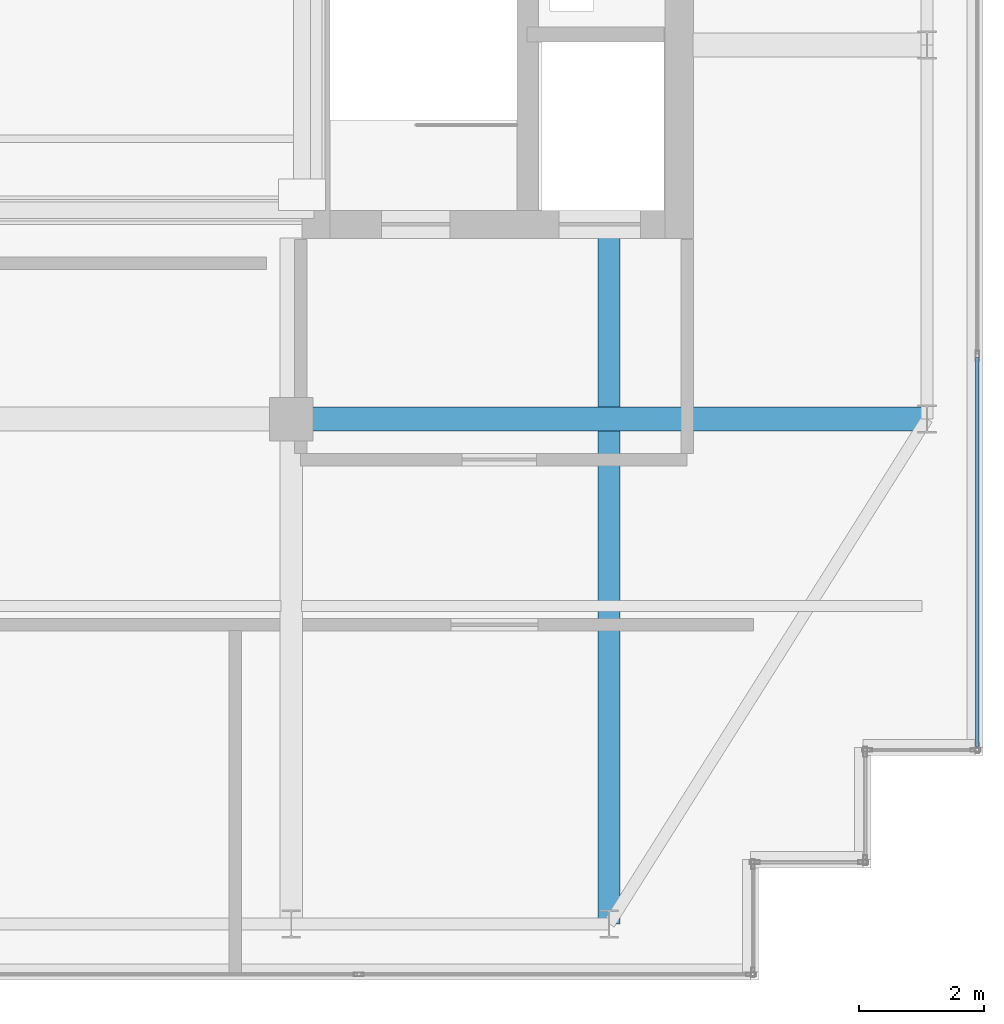
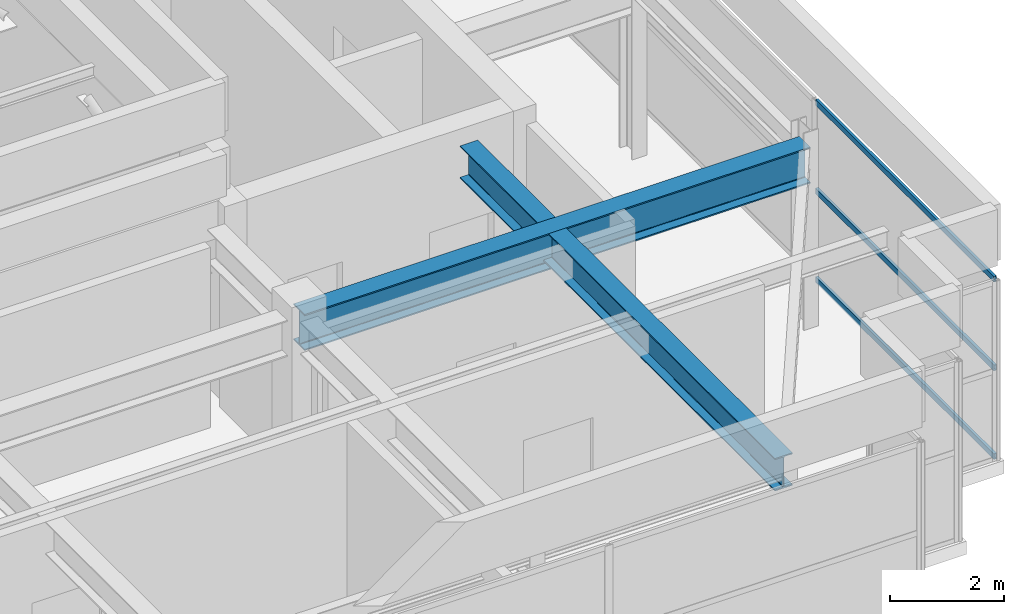
# One storey, part 16 of 33: 3 members, 2 beams, 1 element without a shape of its own.
"""IFC4 building model written with IfcOpenShell, lengths in metres."""

from ifc_helpers import new_model, si_unit, direction, frame, origin, origin_2d, place, context, subcontext, project, spatial, hollow_rectangle, i_section, extrude, source, transform, mapped, material, layer, layer_set, material_profile, profile_set, type_object, element, aggregate, save


model = new_model("IFC4")

# Units and contexts
model_context = context("Model", 3, precision=1e-05, world=origin(), true_north=direction((0.0, 1.0)))
body_context = subcontext(model_context, "Body", "Model", "MODEL_VIEW")
ifc_project = project(units=[si_unit("LENGTHUNIT", "METRE"), si_unit("AREAUNIT", "SQUARE_METRE"), si_unit("VOLUMEUNIT", "CUBIC_METRE"), si_unit("PLANEANGLEUNIT", "RADIAN"), si_unit("MASSUNIT", "GRAM", prefix="KILO")], contexts=[model_context])

# Site, building, storey
site_placement = place(None, origin())
site = spatial("IfcSite", under=ifc_project, at=site_placement, CompositionType="ELEMENT")
building_placement = place(site_placement, origin())
building = spatial("IfcBuilding", under=site, at=building_placement, Name="Khoralis Quay Care Tower", CompositionType="ELEMENT")
storey_placement = place(building_placement, frame((0.0, 0.0, 314.699951171875)))
storey = spatial("IfcBuildingStorey", under=building, at=storey_placement, Name="L82", CompositionType="ELEMENT", Elevation=314.699951171875)

# Beams
ifc_material_1 = material(Name="Steel S355", Category="steel")
ifc_material_profile_1 = material_profile(ifc_material_1, i_section(OverallWidth=0.381103515625, OverallDepth=0.77294921875, WebThickness=0.0166015625, FlangeThickness=0.027587890625, FilletRadius=0.02197265625, at=origin_2d()), Name="Steel S355")
ifc_profile_set_1 = profile_set([ifc_material_profile_1], Name="Steel S355")
beam_type_1 = type_object("IfcBeamType", Name="BM-W760X257", PredefinedType="BEAM", material=ifc_profile_set_1)
shared_shape_1 = source(origin(), body_context, "Body", "SweptSolid", [
    extrude(i_section(OverallWidth=0.381103515625, OverallDepth=0.77294921875, WebThickness=0.0166015625, FlangeThickness=0.027587890625, FilletRadius=0.02197265625, at=origin_2d()), origin(), (0.0, 0.0, 1.0), 10.2001953125),
])
beam_1_placement = place(storey_placement, frame((30.89990234375, 12.0, 3.45361328125), z_axis=(1.0, 0.0, 0.0), x_axis=(0.0, 1.0, 0.0)))
element("IfcBeam", 1, at=beam_1_placement, inside=storey, type_object=beam_type_1, Name="BM-TGXE-L82-120", PredefinedType="BEAM", context=body_context, shape_type="MappedRepresentation", body=[
    mapped(shared_shape_1, transform((0.0, 0.0, 0.0), scale=1.0)),
])
ifc_material_profile_2 = material_profile(ifc_material_1, i_section(OverallWidth=0.35498046875, OverallDepth=0.695068359375, WebThickness=0.015380859375, FlangeThickness=0.02490234375, FilletRadius=0.02001953125, at=origin_2d()), Name="Steel S355")
ifc_profile_set_2 = profile_set([ifc_material_profile_2], Name="Steel S355")
beam_type_2 = type_object("IfcBeamType", Name="BM-W690X217", PredefinedType="BEAM", material=ifc_profile_set_2)
shared_shape_2 = source(origin(), body_context, "Body", "SweptSolid", [
    extrude(i_section(OverallWidth=0.35498046875, OverallDepth=0.695068359375, WebThickness=0.015380859375, FlangeThickness=0.02490234375, FilletRadius=0.02001953125, at=origin_2d()), origin(), (0.0, 0.0, 1.0), 11.002197265625),
])
beam_2_placement = place(storey_placement, frame((36.0, 3.89990234375, 3.492431640625), z_axis=(0.0, 1.0, 0.0), x_axis=(-1.0, 0.0, 0.0)))
element("IfcBeam", 2, at=beam_2_placement, inside=storey, type_object=beam_type_2, Name="BM-TGYS-L82-360", PredefinedType="BEAM", context=body_context, shape_type="MappedRepresentation", body=[
    mapped(shared_shape_2, transform((0.0, 0.0, 0.0), scale=1.0)),
])

# Curtain wall, members
ifc_material_2 = material(Name="Pale anodised aluminium", Category="aluminium")
ifc_layer = layer(ifc_material_2, 0.199951171875)
ifc_layer_set = layer_set([ifc_layer], Name="Pale anodised aluminium")
curtain_wall_type = type_object("IfcCurtainWallType", Name="CW-SYS-LANTERN", PredefinedType="NOTDEFINED", material=ifc_layer_set)
curtain_wall_placement = place(storey_placement, origin())
curtain_wall = element("IfcCurtainWall", 3, at=curtain_wall_placement, inside=storey, type_object=curtain_wall_type, Name="L82 Unitised Curtain Wall CW-LN-L82-06", PredefinedType="NOTDEFINED")
ifc_material_profile_3 = material_profile(ifc_material_2, hollow_rectangle(XDim=0.054931640625, YDim=0.1201171875, WallThickness=0.00390625, at=origin_2d()), Name="Pale anodised aluminium")
ifc_profile_set_3 = profile_set([ifc_material_profile_3], Name="Pale anodised aluminium")
member_type = type_object("IfcMemberType", Name="CW-TRN-120", PredefinedType="USERDEFINED", material=ifc_profile_set_3)
shared_shape_3 = source(origin(), body_context, "Body", "SweptSolid", [
    extrude(hollow_rectangle(XDim=0.054931640625, YDim=0.1201171875, WallThickness=0.00390625, at=origin_2d()), origin(), (0.0, 0.0, 1.0), 6.23388671875),
])
member_1_placement = place(storey_placement, frame((41.909912109375, 6.75, 0.030029296875), z_axis=(0.0, 1.0, 0.0), x_axis=(-1.0, 0.0, 0.0)))
member_1 = element("IfcMember", 4, at=member_1_placement, type_object=member_type, Name="CW5 transom 1.1", ObjectType="TRANSOM", PredefinedType="USERDEFINED", context=body_context, shape_type="MappedRepresentation", body=[
    mapped(shared_shape_3, transform((0.0, 0.0, 0.0), scale=1.0)),
])
member_2_placement = place(storey_placement, frame((41.909912109375, 6.75, 1.920166015625), z_axis=(0.0, 1.0, 0.0), x_axis=(-1.0, 0.0, 0.0)))
member_2 = element("IfcMember", 5, at=member_2_placement, type_object=member_type, Name="CW5 transom 1.2", ObjectType="TRANSOM", PredefinedType="USERDEFINED", context=body_context, shape_type="MappedRepresentation", body=[
    mapped(shared_shape_3, transform((0.0, 0.0, 0.0), scale=1.0)),
])
member_3_placement = place(storey_placement, frame((41.909912109375, 6.75, 3.81005859375), z_axis=(0.0, 1.0, 0.0), x_axis=(-1.0, 0.0, 0.0)))
member_3 = element("IfcMember", 6, at=member_3_placement, type_object=member_type, Name="CW5 transom 1.3", ObjectType="TRANSOM", PredefinedType="USERDEFINED", context=body_context, shape_type="MappedRepresentation", body=[
    mapped(shared_shape_3, transform((0.0, 0.0, 0.0), scale=1.0)),
])
aggregate(curtain_wall, [member_1, member_2, member_3])

save(model, "model.ifc")
